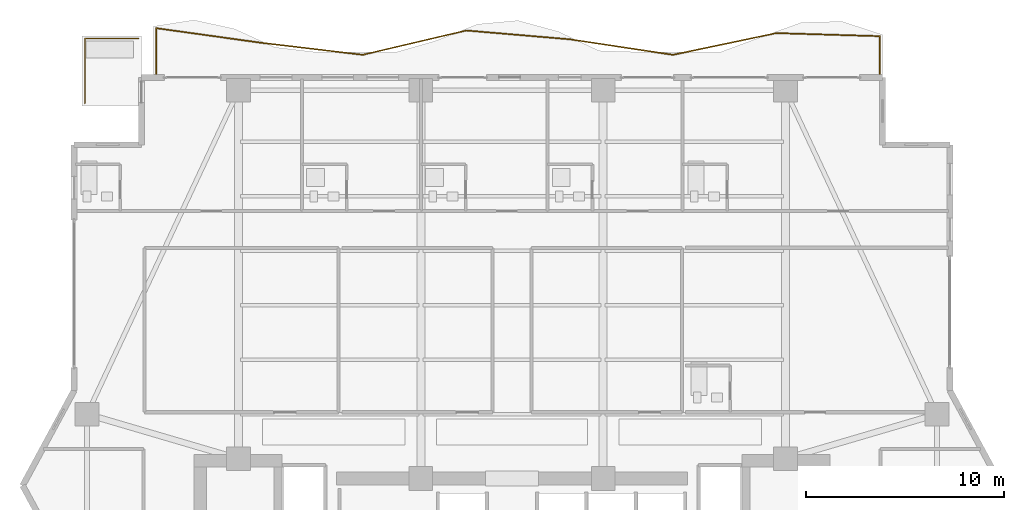
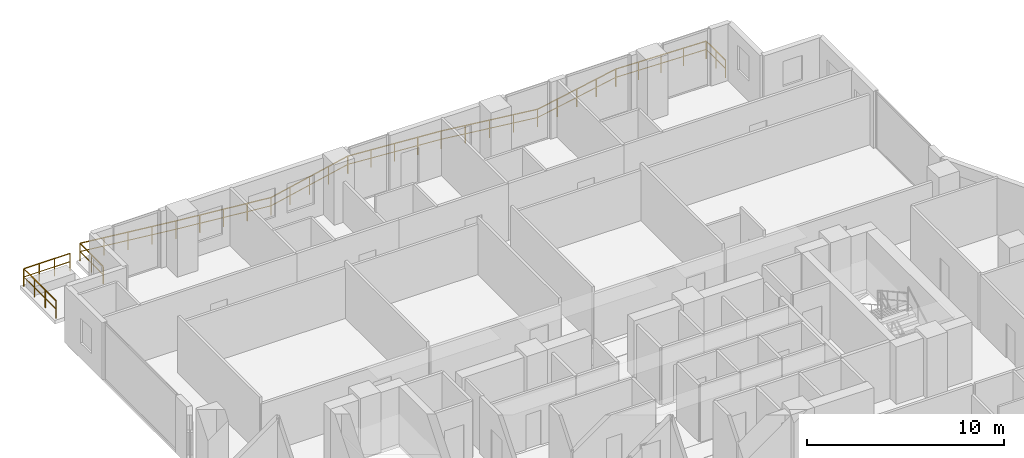
# One storey, part 31 of 32: 2 railings.
"""IFC4 building model written with IfcOpenShell, lengths in metres."""

from ifc_helpers import new_model, si_unit, direction, frame, origin, origin_2d, place, context, subcontext, project, spatial, rectangle, extrude, material, type_object, element, save


model = new_model("IFC4")

# Units and contexts
model_context = context("Model", 3, precision=1e-05, world=origin(), true_north=direction((0.0, 1.0)))
body_context = subcontext(model_context, "Body", "Model", "MODEL_VIEW")
ifc_project = project(units=[si_unit("LENGTHUNIT", "METRE"), si_unit("AREAUNIT", "SQUARE_METRE"), si_unit("VOLUMEUNIT", "CUBIC_METRE"), si_unit("PLANEANGLEUNIT", "RADIAN"), si_unit("MASSUNIT", "GRAM", prefix="KILO")], contexts=[model_context])

# Site, building, storey
site_placement = place(None, origin())
site = spatial("IfcSite", under=ifc_project, at=site_placement, CompositionType="ELEMENT")
building_placement = place(site_placement, origin())
building = spatial("IfcBuilding", under=site, at=building_placement, Name="Zuhayl Quay Hotel", CompositionType="ELEMENT")
storey_placement = place(building_placement, frame((0.0, 0.0, 177.39990234375)))
storey = spatial("IfcBuildingStorey", under=building, at=storey_placement, Name="L44", CompositionType="ELEMENT", Elevation=177.39990234375)

# Railings
ifc_material = material(Name="Anodised Aluminium and Laminated Glass", Category="aluminium")
railing_type = type_object("IfcRailingType", Name="RL_EXT_BAL_1100", PredefinedType="BALUSTRADE", material=ifc_material)
railing_1_placement = place(storey_placement, frame((-17.9599609375, 33.719970703125, 0.0)))
element("IfcRailing", 1, at=railing_1_placement, inside=storey, type_object=railing_type, Name="L44 Balcony and Terrace Guard GR_L44_BAL_N", PredefinedType="BALUSTRADE", context=body_context, shape_type="SweptSolid", body=[
    extrude(rectangle(XDim=0.048095703125, YDim=0.048095703125, at=origin_2d()), frame((0.0, 0.0, 1.09619140625), z_axis=(0.0, 1.0, 0.0), x_axis=(-1.0, 0.0, 0.0)), (0.0, 0.0, 1.0), 2.363525390625),
    extrude(rectangle(XDim=0.0361328125, YDim=0.0361328125, at=origin_2d()), frame((0.0, 0.0, 0.58251953125), z_axis=(0.0, 1.0, 0.0), x_axis=(-1.0, 0.0, 0.0)), (0.0, 0.0, 1.0), 2.363525390625),
    extrude(rectangle(XDim=0.048095703125, YDim=0.048095703125, at=origin_2d()), frame((0.0, 2.363525390625, 1.09619140625), z_axis=(0.990479110656, -0.137663108178, 0.0), x_axis=(0.137663108178, 0.990479110656, 0.0)), (0.0, 0.0, 1.0), 5.26708984375),
    extrude(rectangle(XDim=0.0361328125, YDim=0.0361328125, at=origin_2d()), frame((0.0, 2.363525390625, 0.58251953125), z_axis=(0.990479110656, -0.137663108178, 0.0), x_axis=(0.137663108178, 0.990479110656, 0.0)), (0.0, 0.0, 1.0), 5.26708984375),
    extrude(rectangle(XDim=0.048095703125, YDim=0.048095703125, at=origin_2d()), frame((5.217041015625, 1.638427734375, 1.09619140625), z_axis=(0.993048407171, -0.117706673625, 0.0), x_axis=(0.117706673625, 0.993048407171, 0.0)), (0.0, 0.0, 1.0), 5.25390625),
    extrude(rectangle(XDim=0.0361328125, YDim=0.0361328125, at=origin_2d()), frame((5.217041015625, 1.638427734375, 0.58251953125), z_axis=(0.993048407171, -0.117706673625, 0.0), x_axis=(0.117706673625, 0.993048407171, 0.0)), (0.0, 0.0, 1.0), 5.25390625),
    extrude(rectangle(XDim=0.048095703125, YDim=0.048095703125, at=origin_2d()), frame((10.434326171875, 1.02001953125, 1.09619140625), z_axis=(0.97342732351, 0.228996169932, 0.0), x_axis=(-0.228996169932, 0.97342732351, 0.0)), (0.0, 0.0, 1.0), 5.359375),
    extrude(rectangle(XDim=0.0361328125, YDim=0.0361328125, at=origin_2d()), frame((10.434326171875, 1.02001953125, 0.58251953125), z_axis=(0.97342732351, 0.228996169932, 0.0), x_axis=(-0.228996169932, 0.97342732351, 0.0)), (0.0, 0.0, 1.0), 5.359375),
    extrude(rectangle(XDim=0.048095703125, YDim=0.048095703125, at=origin_2d()), frame((15.6513671875, 2.247314453125, 1.09619140625), z_axis=(0.996396917438, -0.084812634198, 0.0), x_axis=(0.084812634198, 0.996396917438, 0.0)), (0.0, 0.0, 1.0), 5.236083984375),
    extrude(rectangle(XDim=0.0361328125, YDim=0.0361328125, at=origin_2d()), frame((15.6513671875, 2.247314453125, 0.58251953125), z_axis=(0.996396917438, -0.084812634198, 0.0), x_axis=(0.084812634198, 0.996396917438, 0.0)), (0.0, 0.0, 1.0), 5.236083984375),
    extrude(rectangle(XDim=0.048095703125, YDim=0.048095703125, at=origin_2d()), frame((20.86865234375, 1.80322265625, 1.09619140625), z_axis=(0.988918354813, -0.14846039039, 0.0), x_axis=(0.14846039039, 0.988918354813, 0.0)), (0.0, 0.0, 1.0), 5.275390625),
    extrude(rectangle(XDim=0.0361328125, YDim=0.0361328125, at=origin_2d()), frame((20.86865234375, 1.80322265625, 0.58251953125), z_axis=(0.988918354813, -0.14846039039, 0.0), x_axis=(0.14846039039, 0.988918354813, 0.0)), (0.0, 0.0, 1.0), 5.275390625),
    extrude(rectangle(XDim=0.048095703125, YDim=0.048095703125, at=origin_2d()), frame((26.085693359375, 1.02001953125, 1.09619140625), z_axis=(0.978669152526, 0.205442668144, 0.0), x_axis=(-0.205442668144, 0.978669152526, 0.0)), (0.0, 0.0, 1.0), 5.3310546875),
    extrude(rectangle(XDim=0.0361328125, YDim=0.0361328125, at=origin_2d()), frame((26.085693359375, 1.02001953125, 0.58251953125), z_axis=(0.978669152526, 0.205442668144, 0.0), x_axis=(-0.205442668144, 0.978669152526, 0.0)), (0.0, 0.0, 1.0), 5.3310546875),
    extrude(rectangle(XDim=0.048095703125, YDim=0.048095703125, at=origin_2d()), frame((31.302978515625, 2.115234375, 1.09619140625), z_axis=(0.999560161219, -0.029656097254, 0.0), x_axis=(0.029656097254, 0.999560161219, 0.0)), (0.0, 0.0, 1.0), 5.21923828125),
    extrude(rectangle(XDim=0.0361328125, YDim=0.0361328125, at=origin_2d()), frame((31.302978515625, 2.115234375, 0.58251953125), z_axis=(0.999560161219, -0.029656097254, 0.0), x_axis=(0.029656097254, 0.999560161219, 0.0)), (0.0, 0.0, 1.0), 5.21923828125),
    extrude(rectangle(XDim=0.048095703125, YDim=0.048095703125, at=origin_2d()), frame((36.52001953125, 1.96044921875, 1.09619140625), z_axis=(0.0, -1.0, 0.0), x_axis=(1.0, 0.0, 0.0)), (0.0, 0.0, 1.0), 1.96044921875),
    extrude(rectangle(XDim=0.0361328125, YDim=0.0361328125, at=origin_2d()), frame((36.52001953125, 1.96044921875, 0.58251953125), z_axis=(0.0, -1.0, 0.0), x_axis=(1.0, 0.0, 0.0)), (0.0, 0.0, 1.0), 1.96044921875),
    extrude(rectangle(XDim=0.0419921875, YDim=0.0419921875, at=origin_2d()), origin(), (0.0, 0.0, 1.0), 1.072021484375),
    extrude(rectangle(XDim=0.0419921875, YDim=0.0419921875, at=origin_2d()), frame((0.0, 1.181640625, 0.0)), (0.0, 0.0, 1.0), 1.072021484375),
    extrude(rectangle(XDim=0.0419921875, YDim=0.0419921875, at=origin_2d()), frame((0.0, 2.363525390625, 0.0)), (0.0, 0.0, 1.0), 1.072021484375),
    extrude(rectangle(XDim=0.0419921875, YDim=0.0419921875, at=origin_2d()), frame((1.30419921875, 2.18212890625, 0.0)), (0.0, 0.0, 1.0), 1.072021484375),
    extrude(rectangle(XDim=0.0419921875, YDim=0.0419921875, at=origin_2d()), frame((2.6083984375, 2.0009765625, 0.0)), (0.0, 0.0, 1.0), 1.072021484375),
    extrude(rectangle(XDim=0.0419921875, YDim=0.0419921875, at=origin_2d()), frame((3.912841796875, 1.81982421875, 0.0)), (0.0, 0.0, 1.0), 1.072021484375),
    extrude(rectangle(XDim=0.0419921875, YDim=0.0419921875, at=origin_2d()), frame((5.217041015625, 1.638427734375, 0.0)), (0.0, 0.0, 1.0), 1.072021484375),
    extrude(rectangle(XDim=0.0419921875, YDim=0.0419921875, at=origin_2d()), frame((6.521484375, 1.48388671875, 0.0)), (0.0, 0.0, 1.0), 1.072021484375),
    extrude(rectangle(XDim=0.0419921875, YDim=0.0419921875, at=origin_2d()), frame((7.82568359375, 1.3291015625, 0.0)), (0.0, 0.0, 1.0), 1.072021484375),
    extrude(rectangle(XDim=0.0419921875, YDim=0.0419921875, at=origin_2d()), frame((9.1298828125, 1.174560546875, 0.0)), (0.0, 0.0, 1.0), 1.072021484375),
    extrude(rectangle(XDim=0.0419921875, YDim=0.0419921875, at=origin_2d()), frame((10.434326171875, 1.02001953125, 0.0)), (0.0, 0.0, 1.0), 1.072021484375),
    extrude(rectangle(XDim=0.0419921875, YDim=0.0419921875, at=origin_2d()), frame((11.738525390625, 1.326904296875, 0.0)), (0.0, 0.0, 1.0), 1.072021484375),
    extrude(rectangle(XDim=0.0419921875, YDim=0.0419921875, at=origin_2d()), frame((13.04296875, 1.6337890625, 0.0)), (0.0, 0.0, 1.0), 1.072021484375),
    extrude(rectangle(XDim=0.0419921875, YDim=0.0419921875, at=origin_2d()), frame((14.34716796875, 1.9404296875, 0.0)), (0.0, 0.0, 1.0), 1.072021484375),
    extrude(rectangle(XDim=0.0419921875, YDim=0.0419921875, at=origin_2d()), frame((15.6513671875, 2.247314453125, 0.0)), (0.0, 0.0, 1.0), 1.072021484375),
    extrude(rectangle(XDim=0.0419921875, YDim=0.0419921875, at=origin_2d()), frame((16.95556640625, 2.13623046875, 0.0)), (0.0, 0.0, 1.0), 1.072021484375),
    extrude(rectangle(XDim=0.0419921875, YDim=0.0419921875, at=origin_2d()), frame((18.260009765625, 2.025390625, 0.0)), (0.0, 0.0, 1.0), 1.072021484375),
    extrude(rectangle(XDim=0.0419921875, YDim=0.0419921875, at=origin_2d()), frame((19.564453125, 1.914306640625, 0.0)), (0.0, 0.0, 1.0), 1.072021484375),
    extrude(rectangle(XDim=0.0419921875, YDim=0.0419921875, at=origin_2d()), frame((20.86865234375, 1.80322265625, 0.0)), (0.0, 0.0, 1.0), 1.072021484375),
    extrude(rectangle(XDim=0.0419921875, YDim=0.0419921875, at=origin_2d()), frame((22.1728515625, 1.607421875, 0.0)), (0.0, 0.0, 1.0), 1.072021484375),
    extrude(rectangle(XDim=0.0419921875, YDim=0.0419921875, at=origin_2d()), frame((23.47705078125, 1.41162109375, 0.0)), (0.0, 0.0, 1.0), 1.072021484375),
    extrude(rectangle(XDim=0.0419921875, YDim=0.0419921875, at=origin_2d()), frame((24.781494140625, 1.2158203125, 0.0)), (0.0, 0.0, 1.0), 1.072021484375),
    extrude(rectangle(XDim=0.0419921875, YDim=0.0419921875, at=origin_2d()), frame((26.085693359375, 1.02001953125, 0.0)), (0.0, 0.0, 1.0), 1.072021484375),
    extrude(rectangle(XDim=0.0419921875, YDim=0.0419921875, at=origin_2d()), frame((27.39013671875, 1.2939453125, 0.0)), (0.0, 0.0, 1.0), 1.072021484375),
    extrude(rectangle(XDim=0.0419921875, YDim=0.0419921875, at=origin_2d()), frame((28.6943359375, 1.567626953125, 0.0)), (0.0, 0.0, 1.0), 1.072021484375),
    extrude(rectangle(XDim=0.0419921875, YDim=0.0419921875, at=origin_2d()), frame((29.99853515625, 1.84130859375, 0.0)), (0.0, 0.0, 1.0), 1.072021484375),
    extrude(rectangle(XDim=0.0419921875, YDim=0.0419921875, at=origin_2d()), frame((31.302978515625, 2.115234375, 0.0)), (0.0, 0.0, 1.0), 1.072021484375),
    extrude(rectangle(XDim=0.0419921875, YDim=0.0419921875, at=origin_2d()), frame((32.607177734375, 2.07666015625, 0.0)), (0.0, 0.0, 1.0), 1.072021484375),
    extrude(rectangle(XDim=0.0419921875, YDim=0.0419921875, at=origin_2d()), frame((33.91162109375, 2.037841796875, 0.0)), (0.0, 0.0, 1.0), 1.072021484375),
    extrude(rectangle(XDim=0.0419921875, YDim=0.0419921875, at=origin_2d()), frame((35.2158203125, 1.9990234375, 0.0)), (0.0, 0.0, 1.0), 1.072021484375),
    extrude(rectangle(XDim=0.0419921875, YDim=0.0419921875, at=origin_2d()), frame((36.52001953125, 1.96044921875, 0.0)), (0.0, 0.0, 1.0), 1.072021484375),
    extrude(rectangle(XDim=0.0419921875, YDim=0.0419921875, at=origin_2d()), frame((36.52001953125, 0.980224609375, 0.0)), (0.0, 0.0, 1.0), 1.072021484375),
    extrude(rectangle(XDim=0.0419921875, YDim=0.0419921875, at=origin_2d()), frame((36.52001953125, 0.0, 0.0)), (0.0, 0.0, 1.0), 1.072021484375),
])
railing_2_placement = place(storey_placement, frame((-18.840087890625, 35.56005859375, 0.0)))
element("IfcRailing", 2, at=railing_2_placement, inside=storey, type_object=railing_type, Name="L44 Balcony and Terrace Guard GR_L44_SPIRAL_NW", PredefinedType="BALUSTRADE", context=body_context, shape_type="SweptSolid", body=[
    extrude(rectangle(XDim=0.048095703125, YDim=0.048095703125, at=origin_2d()), frame((0.0, 0.0, 1.09619140625), z_axis=(-1.0, 0.0, 0.0), x_axis=(0.0, -1.0, 0.0)), (0.0, 0.0, 1.0), 2.719970703125),
    extrude(rectangle(XDim=0.0361328125, YDim=0.0361328125, at=origin_2d()), frame((0.0, 0.0, 0.58251953125), z_axis=(-1.0, 0.0, 0.0), x_axis=(0.0, -1.0, 0.0)), (0.0, 0.0, 1.0), 2.719970703125),
    extrude(rectangle(XDim=0.048095703125, YDim=0.048095703125, at=origin_2d()), frame((-2.719970703125, 0.0, 1.09619140625), z_axis=(0.0, -1.0, 0.0), x_axis=(1.0, 0.0, 0.0)), (0.0, 0.0, 1.0), 3.27001953125),
    extrude(rectangle(XDim=0.0361328125, YDim=0.0361328125, at=origin_2d()), frame((-2.719970703125, 0.0, 0.58251953125), z_axis=(0.0, -1.0, 0.0), x_axis=(1.0, 0.0, 0.0)), (0.0, 0.0, 1.0), 3.27001953125),
    extrude(rectangle(XDim=0.0419921875, YDim=0.0419921875, at=origin_2d()), origin(), (0.0, 0.0, 1.0), 1.072021484375),
    extrude(rectangle(XDim=0.0419921875, YDim=0.0419921875, at=origin_2d()), frame((-0.90673828125, 0.0, 0.0)), (0.0, 0.0, 1.0), 1.072021484375),
    extrude(rectangle(XDim=0.0419921875, YDim=0.0419921875, at=origin_2d()), frame((-1.813232421875, 0.0, 0.0)), (0.0, 0.0, 1.0), 1.072021484375),
    extrude(rectangle(XDim=0.0419921875, YDim=0.0419921875, at=origin_2d()), frame((-2.719970703125, 0.0, 0.0)), (0.0, 0.0, 1.0), 1.072021484375),
    extrude(rectangle(XDim=0.0419921875, YDim=0.0419921875, at=origin_2d()), frame((-2.719970703125, -1.090087890625, 0.0)), (0.0, 0.0, 1.0), 1.072021484375),
    extrude(rectangle(XDim=0.0419921875, YDim=0.0419921875, at=origin_2d()), frame((-2.719970703125, -2.179931640625, 0.0)), (0.0, 0.0, 1.0), 1.072021484375),
    extrude(rectangle(XDim=0.0419921875, YDim=0.0419921875, at=origin_2d()), frame((-2.719970703125, -3.27001953125, 0.0)), (0.0, 0.0, 1.0), 1.072021484375),
])

save(model, "model.ifc")
